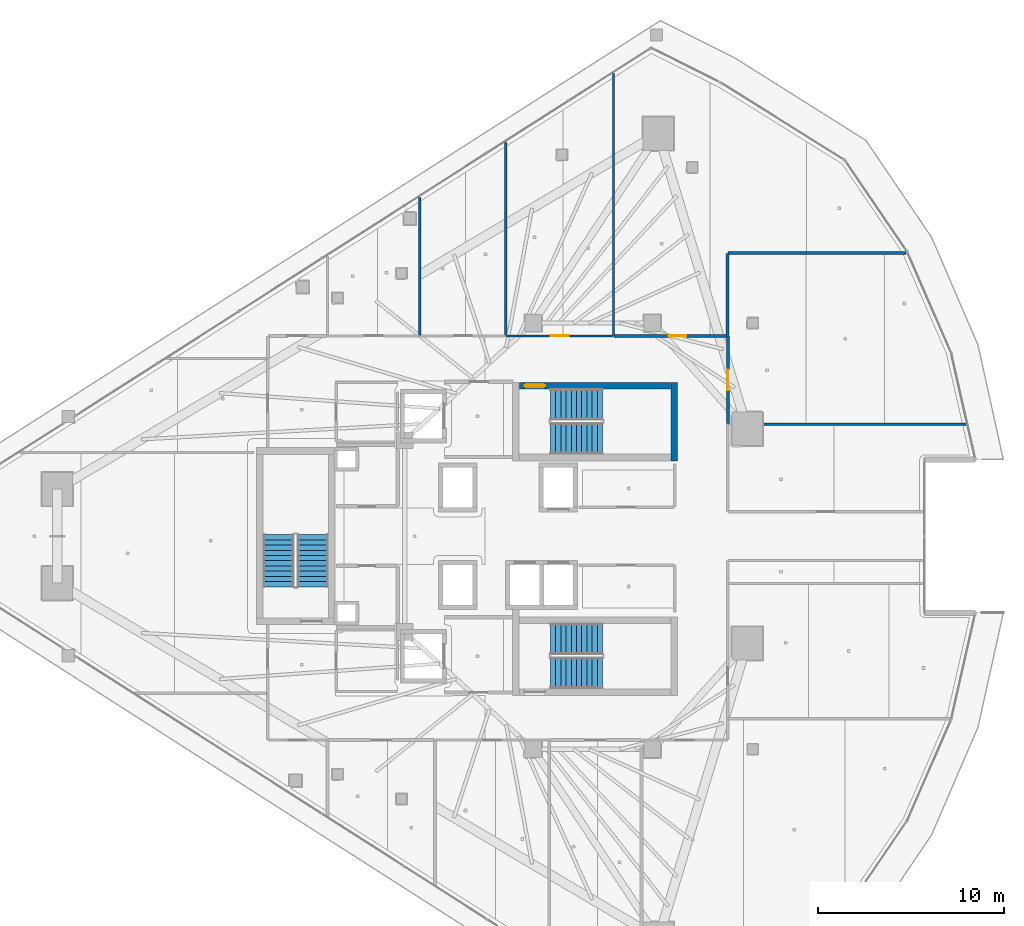
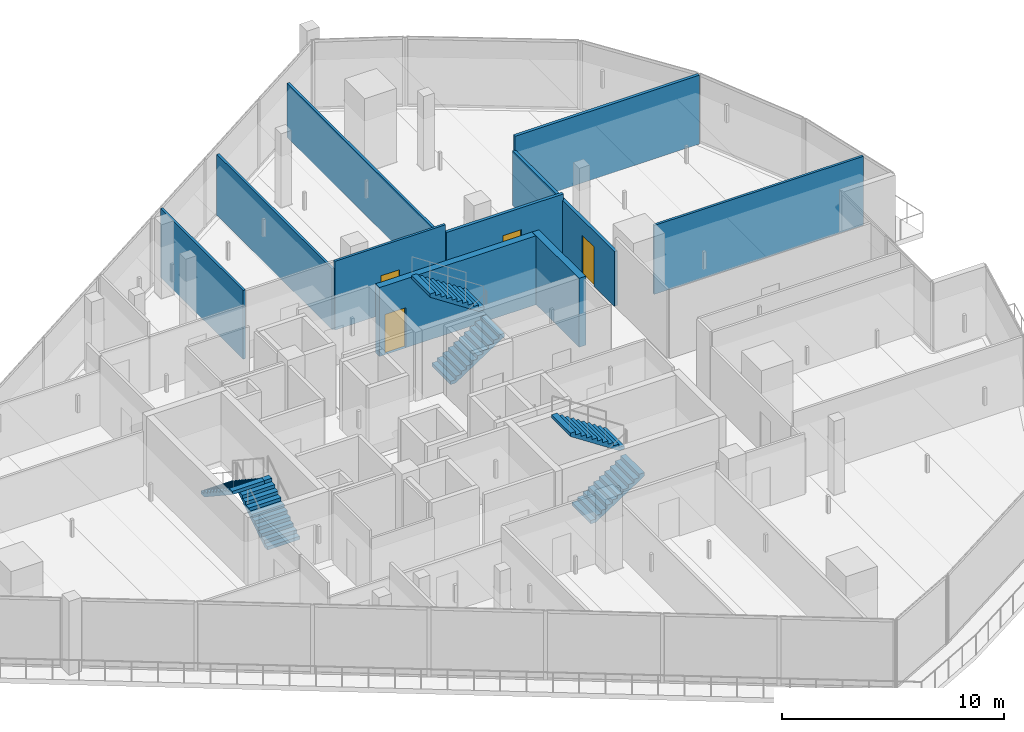
# One storey, part 25 of 33: 11 walls, 6 stair flights, 4 doors, 4 openings, 3 elements without a shape of their own.
"""IFC4 building model written with IfcOpenShell, lengths in metres."""

from ifc_helpers import new_model, si_unit, direction, frame, frame_2d, origin, place, context, subcontext, project, spatial, polyline, rectangle, outline, extrude, material, layer, layer_set, type_object, element, fill, aggregate, save


model = new_model("IFC4")

# Units and contexts
model_context = context("Model", 3, precision=1e-05, world=origin(), true_north=direction((0.0, 1.0)))
body_context = subcontext(model_context, "Body", "Model", "MODEL_VIEW")
ifc_project = project(units=[si_unit("LENGTHUNIT", "METRE"), si_unit("AREAUNIT", "SQUARE_METRE"), si_unit("VOLUMEUNIT", "CUBIC_METRE"), si_unit("PLANEANGLEUNIT", "RADIAN"), si_unit("MASSUNIT", "GRAM", prefix="KILO")], contexts=[model_context])

# Site, building, storey
site_placement = place(None, origin())
site = spatial("IfcSite", under=ifc_project, at=site_placement, CompositionType="ELEMENT")
building_placement = place(site_placement, origin())
building = spatial("IfcBuilding", under=site, at=building_placement, Name="Qorvath Tower", CompositionType="ELEMENT")
storey_placement = place(building_placement, frame((0.0, 0.0, 237.449951171875)))
storey = spatial("IfcBuildingStorey", under=building, at=storey_placement, Name="L55", CompositionType="ELEMENT", Elevation=237.449951171875)

# Wall, opening, door
ifc_material_1 = material(Name="Double acoustic gypsum board on steel studs", Category="steel")
ifc_layer_1 = layer(ifc_material_1, 0.159912109375)
ifc_layer_set_1 = layer_set([ifc_layer_1], Name="IW-ACOUSTIC-160")
wall_type_1 = type_object("IfcWallType", Name="IW-ACOUSTIC-160", PredefinedType="PARTITIONING", material=ifc_layer_set_1)
wall_1_placement = place(storey_placement, frame((-19.24658203125, 10.758056640625, 0.0), z_axis=(0.0, 0.0, 1.0), x_axis=(1.0, 0.0, 0.0)))
wall_1 = element("IfcWall", 1, at=wall_1_placement, inside=storey, type_object=wall_type_1, Name="Interior Partition IW-T1-L55-030", PredefinedType="PARTITIONING", context=body_context, shape_type="SweptSolid", body=[
    extrude(rectangle(XDim=6.07177734375, YDim=0.159912109375, at=frame_2d((3.035888671875, 0.0))), origin(), (0.0, 0.0, 1.0), 3.34423828125),
])
opening_1_placement = place(wall_1_placement, frame((2.9267578125, 0.0, 0.0)))
opening_1 = element("IfcOpeningElement", 2, at=opening_1_placement, cuts=wall_1, Name="Opening D-T1-L55-10", PredefinedType="OPENING", context=body_context, shape_type="SweptSolid", body=[
    extrude(rectangle(XDim=0.949951171875, YDim=2.14990234375, at=frame_2d((0.47509765625, 1.074951171875))), frame((0.0, 0.08984375, 0.0), z_axis=(0.0, -1.0, 0.0), x_axis=(1.0, 0.0, 0.0)), (0.0, 0.0, 1.0), 0.179931640625),
])
ifc_material_2 = material(Name="Solid-core American white oak veneer", Category="wood")
door_type_1 = type_object("IfcDoorType", Name="D-01", OperationType="NOTDEFINED", PredefinedType="DOOR", material=ifc_material_2)
door_1_placement = place(opening_1_placement, origin())
door_1 = element("IfcDoor", 3, at=door_1_placement, inside=storey, type_object=door_type_1, Name="L55-04 Breakout Reading Alcove Door D-T1-L55-10", OperationType="SINGLE_SWING_LEFT", OverallHeight=2.14990234375, OverallWidth=0.949951171875, PredefinedType="DOOR", context=body_context, shape_type="SweptSolid", body=[
    extrude(rectangle(XDim=0.949951171875, YDim=2.14990234375, at=frame_2d((0.47509765625, 1.074951171875))), frame((0.0, 0.02490234375, 0.0), z_axis=(0.0, -1.0, 0.0), x_axis=(1.0, 0.0, 0.0)), (0.0, 0.0, 1.0), 0.050048828125),
])
fill(opening_1, door_1)

# Walls
wall_2_placement = place(storey_placement, frame((-13.14990234375, 10.783203125, 0.0), z_axis=(0.0, 0.0, 1.0), x_axis=(0.0, 1.0, 0.0)))
element("IfcWall", 4, at=wall_2_placement, inside=storey, type_object=wall_type_1, Name="Interior Partition IW-T1-L55-031", PredefinedType="PARTITIONING", context=body_context, shape_type="SweptSolid", body=[
    extrude(rectangle(XDim=4.40087890625, YDim=0.159912109375, at=frame_2d((2.200439453125, 0.0))), origin(), (0.0, 0.0, 1.0), 3.0),
])
wall_3_placement = place(storey_placement, frame((-13.125, 15.208984375, 0.0), z_axis=(0.0, 0.0, 1.0), x_axis=(0.999999120294, 0.001326427933, 0.0)))
element("IfcWall", 5, at=wall_3_placement, inside=storey, type_object=wall_type_1, Name="Interior Partition IW-T1-L55-032", PredefinedType="PARTITIONING", context=body_context, shape_type="SweptSolid", body=[
    extrude(rectangle(XDim=9.571044921875, YDim=0.159912109375, at=frame_2d((4.78564453125, 0.0))), origin(), (0.0, 0.0, 1.0), 3.780029296875),
])

# Wall, opening, door
wall_4_placement = place(storey_placement, frame((-13.14208984375, 10.75830078125, 0.0), z_axis=(0.0, 0.0, 1.0), x_axis=(0.0, -1.0, 0.0)))
wall_4 = element("IfcWall", 6, at=wall_4_placement, inside=storey, type_object=wall_type_1, Name="Interior Partition IW-T1-L55-050", PredefinedType="PARTITIONING", context=body_context, shape_type="SweptSolid", body=[
    extrude(rectangle(XDim=4.71240234375, YDim=0.159912109375, at=frame_2d((2.356201171875, 0.0))), origin(), (0.0, 0.0, 1.0), 3.0),
])
opening_2_placement = place(wall_4_placement, frame((1.80615234375, 0.0, 0.0)))
opening_2 = element("IfcOpeningElement", 7, at=opening_2_placement, cuts=wall_4, Name="Opening D-T1-L55-17", PredefinedType="OPENING", context=body_context, shape_type="SweptSolid", body=[
    extrude(rectangle(XDim=1.10009765625, YDim=2.14990234375, at=frame_2d((0.550048828125, 1.074951171875))), frame((0.0, 0.08984375, 0.0), z_axis=(0.0, -1.0, 0.0), x_axis=(1.0, 0.0, 0.0)), (0.0, 0.0, 1.0), 0.179931640625),
])
ifc_material_3 = material(Name="Anodised aluminium acoustic framed glass", Category="aluminium")
door_type_2 = type_object("IfcDoorType", Name="D-03", OperationType="NOTDEFINED", PredefinedType="DOOR", material=ifc_material_3)
door_2_placement = place(opening_2_placement, origin())
door_2 = element("IfcDoor", 8, at=door_2_placement, inside=storey, type_object=door_type_2, Name="L55-11 Client Services Office Door D-T1-L55-17", OperationType="SINGLE_SWING_RIGHT", OverallHeight=2.14990234375, OverallWidth=1.10009765625, PredefinedType="DOOR", context=body_context, shape_type="SweptSolid", body=[
    extrude(rectangle(XDim=1.10009765625, YDim=2.14990234375, at=frame_2d((0.550048828125, 1.074951171875))), frame((0.0, 0.02490234375, 0.0), z_axis=(0.0, -1.0, 0.0), x_axis=(1.0, 0.0, 0.0)), (0.0, 0.0, 1.0), 0.050048828125),
])
fill(opening_2, door_2)

# Walls
ifc_material_4 = material(Name="Gypsum board on metal studs with mineral wool", Category="gypsum")
ifc_layer_2 = layer(ifc_material_4, 0.125)
ifc_layer_set_2 = layer_set([ifc_layer_2], Name="IW-PART-125")
wall_type_2 = type_object("IfcWallType", Name="IW-PART-125", PredefinedType="PARTITIONING", material=ifc_layer_set_2)
wall_5_placement = place(storey_placement, frame((-29.687255859375, 10.783203125, 0.0), z_axis=(0.0, 0.0, 1.0), x_axis=(0.0, 1.0, 0.0)))
element("IfcWall", 9, at=wall_5_placement, inside=storey, type_object=wall_type_2, Name="Interior Partition IW-T1-L55-024", PredefinedType="PARTITIONING", context=body_context, shape_type="SweptSolid", body=[
    extrude(rectangle(XDim=7.42138671875, YDim=0.125, at=frame_2d((3.710693359375, 0.0))), origin(), (0.0, 0.0, 1.0), 3.780029296875),
])
wall_6_placement = place(storey_placement, frame((-25.067138671875, 10.783203125, 0.0), z_axis=(0.0, 0.0, 1.0), x_axis=(0.0, 1.0, 0.0)))
element("IfcWall", 10, at=wall_6_placement, inside=storey, type_object=wall_type_2, Name="Interior Partition IW-T1-L55-027", PredefinedType="PARTITIONING", context=body_context, shape_type="SweptSolid", body=[
    extrude(rectangle(XDim=10.374267578125, YDim=0.125, at=frame_2d((5.18701171875, 0.0))), origin(), (0.0, 0.0, 1.0), 3.34423828125),
])

# Wall, opening, door
wall_7_placement = place(storey_placement, frame((-25.0341796875, 10.758056640625, 0.0), z_axis=(0.0, 0.0, 1.0), x_axis=(1.0, 0.0, 0.0)))
wall_7 = element("IfcWall", 11, at=wall_7_placement, inside=storey, type_object=wall_type_2, Name="Interior Partition IW-T1-L55-028", PredefinedType="PARTITIONING", context=body_context, shape_type="SweptSolid", body=[
    extrude(rectangle(XDim=5.7294921875, YDim=0.125, at=frame_2d((2.86474609375, 0.0))), origin(), (0.0, 0.0, 1.0), 3.780029296875),
])
opening_3_placement = place(wall_7_placement, frame((2.3896484375, 0.0, 0.0)))
opening_3 = element("IfcOpeningElement", 12, at=opening_3_placement, cuts=wall_7, Name="Opening D-T1-L55-09", PredefinedType="OPENING", context=body_context, shape_type="SweptSolid", body=[
    extrude(rectangle(XDim=0.949951171875, YDim=2.14990234375, at=frame_2d((0.47509765625, 1.074951171875))), frame((0.0, 0.072509765625, 0.0), z_axis=(0.0, -1.0, 0.0), x_axis=(1.0, 0.0, 0.0)), (0.0, 0.0, 1.0), 0.14501953125),
])
door_3_placement = place(opening_3_placement, origin())
door_3 = element("IfcDoor", 13, at=door_3_placement, inside=storey, type_object=door_type_1, Name="L55-03 Executive Partner Office Door D-T1-L55-09", OperationType="SINGLE_SWING_RIGHT", OverallHeight=2.14990234375, OverallWidth=0.949951171875, PredefinedType="DOOR", context=body_context, shape_type="SweptSolid", body=[
    extrude(rectangle(XDim=0.949951171875, YDim=2.14990234375, at=frame_2d((0.47509765625, 1.074951171875))), frame((0.0, 0.02490234375, 0.0), z_axis=(0.0, -1.0, 0.0), x_axis=(1.0, 0.0, 0.0)), (0.0, 0.0, 1.0), 0.050048828125),
])
fill(opening_3, door_3)

# Walls
wall_8_placement = place(storey_placement, frame((-19.27978515625, 10.783203125, 0.0), z_axis=(0.0, 0.0, 1.0), x_axis=(0.0, 1.0, 0.0)))
element("IfcWall", 14, at=wall_8_placement, inside=storey, type_object=wall_type_2, Name="Interior Partition IW-T1-L55-029", PredefinedType="PARTITIONING", context=body_context, shape_type="SweptSolid", body=[
    extrude(rectangle(XDim=14.0732421875, YDim=0.125, at=frame_2d((7.03662109375, 0.0))), origin(), (0.0, 0.0, 1.0), 2.97705078125),
])
wall_9_placement = place(storey_placement, frame((-0.344482421875, 6.012939453125, 0.0), z_axis=(0.0, 0.0, 1.0), x_axis=(-1.0, 0.0, 0.0)))
element("IfcWall", 15, at=wall_9_placement, inside=storey, type_object=wall_type_2, Name="Interior Partition IW-T1-L55-045", PredefinedType="PARTITIONING", context=body_context, shape_type="SweptSolid", body=[
    extrude(rectangle(XDim=10.8623046875, YDim=0.125, at=frame_2d((5.43115234375, 0.0))), origin(), (0.0, 0.0, 1.0), 3.780029296875),
])
ifc_material_5 = material(Name="Concrete C60/75", Category="concrete")
ifc_layer_3 = layer(ifc_material_5, 0.35009765625)
ifc_layer_set_3 = layer_set([ifc_layer_3], Name="SW-STAIR")
wall_type_3 = type_object("IfcWallType", Name="SW-STAIR", PredefinedType="SHEAR", material=ifc_layer_set_3)
wall_10_placement = place(storey_placement, frame((-16.02490234375, 4.050048828125, 0.0), z_axis=(0.0, 0.0, 1.0), x_axis=(0.0, 1.0, 0.0)))
element("IfcWall", 16, at=wall_10_placement, inside=storey, type_object=wall_type_3, Name="Stair TS1 Shear Wall L55 FAR", PredefinedType="SHEAR", context=body_context, shape_type="SweptSolid", body=[
    extrude(rectangle(XDim=4.2099609375, YDim=0.35009765625, at=frame_2d((2.10498046875, 0.0))), origin(), (0.0, 0.0, 1.0), 3.780029296875),
])

# Wall, opening, door
wall_11_placement = place(storey_placement, frame((-16.215087890625, 8.0849609375, 0.0), z_axis=(0.0, 0.0, 1.0), x_axis=(-1.0, 0.0, 0.0)))
wall_11 = element("IfcWall", 17, at=wall_11_placement, inside=storey, type_object=wall_type_3, Name="Stair TS1 Shear Wall L55 RIGHT", PredefinedType="SHEAR", context=body_context, shape_type="SweptSolid", body=[
    extrude(rectangle(XDim=8.119873046875, YDim=0.35009765625, at=frame_2d((4.06005859375, 0.0))), origin(), (0.0, 0.0, 1.0), 3.780029296875),
])
opening_4_placement = place(wall_11_placement, frame((6.739990234375, 0.0, 0.0)))
opening_4 = element("IfcOpeningElement", 18, at=opening_4_placement, cuts=wall_11, Name="Opening D-TS1-L55", PredefinedType="OPENING", context=body_context, shape_type="SweptSolid", body=[
    extrude(rectangle(XDim=1.10009765625, YDim=2.199951171875, at=frame_2d((0.550048828125, 1.10009765625))), frame((0.0, 0.18505859375, 0.0), z_axis=(0.0, -1.0, 0.0), x_axis=(1.0, 0.0, 0.0)), (0.0, 0.0, 1.0), 0.3701171875),
])
ifc_material_6 = material(Name="Painted galvanised hollow metal", Category="steel")
door_type_3 = type_object("IfcDoorType", Name="FD-90", OperationType="NOTDEFINED", PredefinedType="DOOR", material=ifc_material_6)
door_4_placement = place(opening_4_placement, origin())
door_4 = element("IfcDoor", 19, at=door_4_placement, inside=storey, type_object=door_type_3, Name="Stair TS1 Fire Door L55", OperationType="SINGLE_SWING_RIGHT", OverallHeight=2.199951171875, OverallWidth=1.10009765625, PredefinedType="DOOR", context=body_context, shape_type="SweptSolid", body=[
    extrude(rectangle(XDim=1.10009765625, YDim=2.199951171875, at=frame_2d((0.550048828125, 1.10009765625))), frame((0.0, 0.02490234375, 0.0), z_axis=(0.0, -1.0, 0.0), x_axis=(1.0, 0.0, 0.0)), (0.0, 0.0, 1.0), 0.050048828125),
])
fill(opening_4, door_4)

# Stair, stair flights
ifc_material_7 = material(Name="Concrete C50/60", Category="concrete")
stair_type = type_object("IfcStairType", Name="ST-H405", PredefinedType="HALF_TURN_STAIR", material=ifc_material_7)
stair_1_placement = place(storey_placement, origin())
stair_1 = element("IfcStair", 20, at=stair_1_placement, inside=storey, type_object=stair_type, Name="L55 Tower Exit Stair 1", PredefinedType="HALF_TURN_STAIR")
ifc_material_8 = material(Name="Concrete C50/60", Category="concrete")
ifc_layer_4 = layer(ifc_material_8, 0.14990234375)
ifc_layer_set_4 = layer_set([ifc_layer_4], Name="SF-H405")
stair_flight_type = type_object("IfcStairFlightType", Name="SF-H405", PredefinedType="STRAIGHT", material=ifc_layer_set_4)
stair_flight_1_placement = place(storey_placement, frame((-22.669921875, 5.239990234375, 0.0), z_axis=(0.0, 0.0, 1.0), x_axis=(1.0, 0.0, 0.0)))
stair_flight_1 = element("IfcStairFlight", 21, at=stair_flight_1_placement, type_object=stair_flight_type, Name="TS1 flight 1", NumberOfRisers=11, NumberOfTreads=10, PredefinedType="STRAIGHT", RiserHeight=0.184090909, TreadLength=0.28, context=body_context, shape_type="SweptSolid", body=[
    extrude(outline(polyline([(0.0, 0.0), (0.0, 0.18408203125), (0.280029296875, 0.18408203125), (0.280029296875, 0.3681640625), (0.56005859375, 0.3681640625), (0.56005859375, 0.55224609375), (0.840087890625, 0.55224609375), (0.840087890625, 0.736328125), (1.1201171875, 0.736328125), (1.1201171875, 0.92041015625), (1.39990234375, 0.92041015625), (1.39990234375, 1.1044921875), (1.679931640625, 1.1044921875), (1.679931640625, 1.28857421875), (1.9599609375, 1.28857421875), (1.9599609375, 1.47265625), (2.239990234375, 1.47265625), (2.239990234375, 1.65673828125), (2.52001953125, 1.65673828125), (2.52001953125, 1.8408203125), (2.800048828125, 1.8408203125), (2.800048828125, 2.02490234375), (2.800048828125, 1.66162109375), (0.27294921875, 0.0), (0.0, 0.0)])), frame((0.0, 0.83984375, 0.0), z_axis=(0.0, -1.0, 0.0), x_axis=(1.0, 0.0, 0.0)), (0.0, 0.0, 1.0), 1.679931640625),
])
stair_flight_2_placement = place(storey_placement, frame((-19.8701171875, 7.070068359375, 2.025146484375), z_axis=(0.0, 0.0, 1.0), x_axis=(-1.0, 0.0, 0.0)))
stair_flight_2 = element("IfcStairFlight", 22, at=stair_flight_2_placement, type_object=stair_flight_type, Name="TS1 flight 2", NumberOfRisers=11, NumberOfTreads=10, PredefinedType="STRAIGHT", RiserHeight=0.184090909, TreadLength=0.28, context=body_context, shape_type="SweptSolid", body=[
    extrude(outline(polyline([(0.0, 0.0), (0.0, 0.18408203125), (0.280029296875, 0.18408203125), (0.280029296875, 0.3681640625), (0.56005859375, 0.3681640625), (0.56005859375, 0.55224609375), (0.840087890625, 0.55224609375), (0.840087890625, 0.736328125), (1.1201171875, 0.736328125), (1.1201171875, 0.92041015625), (1.39990234375, 0.92041015625), (1.39990234375, 1.1044921875), (1.679931640625, 1.1044921875), (1.679931640625, 1.28857421875), (1.9599609375, 1.28857421875), (1.9599609375, 1.47265625), (2.239990234375, 1.47265625), (2.239990234375, 1.65673828125), (2.52001953125, 1.65673828125), (2.52001953125, 1.8408203125), (2.800048828125, 1.8408203125), (2.800048828125, 2.02490234375), (2.800048828125, 1.66162109375), (0.27294921875, 0.0), (0.0, 0.0)])), frame((0.0, 0.83984375, 0.0), z_axis=(0.0, -1.0, 0.0), x_axis=(1.0, 0.0, 0.0)), (0.0, 0.0, 1.0), 1.679931640625),
])
aggregate(stair_1, [stair_flight_1, stair_flight_2])

stair_2_placement = place(storey_placement, origin())
stair_2 = element("IfcStair", 23, at=stair_2_placement, inside=storey, type_object=stair_type, Name="L55 Tower Exit Stair 2", PredefinedType="HALF_TURN_STAIR")
stair_flight_3_placement = place(storey_placement, frame((-22.669921875, -7.360107421875, 0.0), z_axis=(0.0, 0.0, 1.0), x_axis=(1.0, 0.0, 0.0)))
stair_flight_3 = element("IfcStairFlight", 24, at=stair_flight_3_placement, type_object=stair_flight_type, Name="TS2 flight 1", NumberOfRisers=11, NumberOfTreads=10, PredefinedType="STRAIGHT", RiserHeight=0.184090909, TreadLength=0.28, context=body_context, shape_type="SweptSolid", body=[
    extrude(outline(polyline([(0.0, 0.0), (0.0, 0.18408203125), (0.280029296875, 0.18408203125), (0.280029296875, 0.3681640625), (0.56005859375, 0.3681640625), (0.56005859375, 0.55224609375), (0.840087890625, 0.55224609375), (0.840087890625, 0.736328125), (1.1201171875, 0.736328125), (1.1201171875, 0.92041015625), (1.39990234375, 0.92041015625), (1.39990234375, 1.1044921875), (1.679931640625, 1.1044921875), (1.679931640625, 1.28857421875), (1.9599609375, 1.28857421875), (1.9599609375, 1.47265625), (2.239990234375, 1.47265625), (2.239990234375, 1.65673828125), (2.52001953125, 1.65673828125), (2.52001953125, 1.8408203125), (2.800048828125, 1.8408203125), (2.800048828125, 2.02490234375), (2.800048828125, 1.66162109375), (0.27294921875, 0.0), (0.0, 0.0)])), frame((0.0, 0.83984375, 0.0), z_axis=(0.0, -1.0, 0.0), x_axis=(1.0, 0.0, 0.0)), (0.0, 0.0, 1.0), 1.679931640625),
])
stair_flight_4_placement = place(storey_placement, frame((-19.8701171875, -5.530029296875, 2.025146484375), z_axis=(0.0, 0.0, 1.0), x_axis=(-1.0, 0.0, 0.0)))
stair_flight_4 = element("IfcStairFlight", 25, at=stair_flight_4_placement, type_object=stair_flight_type, Name="TS2 flight 2", NumberOfRisers=11, NumberOfTreads=10, PredefinedType="STRAIGHT", RiserHeight=0.184090909, TreadLength=0.28, context=body_context, shape_type="SweptSolid", body=[
    extrude(outline(polyline([(0.0, 0.0), (0.0, 0.18408203125), (0.280029296875, 0.18408203125), (0.280029296875, 0.3681640625), (0.56005859375, 0.3681640625), (0.56005859375, 0.55224609375), (0.840087890625, 0.55224609375), (0.840087890625, 0.736328125), (1.1201171875, 0.736328125), (1.1201171875, 0.92041015625), (1.39990234375, 0.92041015625), (1.39990234375, 1.1044921875), (1.679931640625, 1.1044921875), (1.679931640625, 1.28857421875), (1.9599609375, 1.28857421875), (1.9599609375, 1.47265625), (2.239990234375, 1.47265625), (2.239990234375, 1.65673828125), (2.52001953125, 1.65673828125), (2.52001953125, 1.8408203125), (2.800048828125, 1.8408203125), (2.800048828125, 2.02490234375), (2.800048828125, 1.66162109375), (0.27294921875, 0.0), (0.0, 0.0)])), frame((0.0, 0.83984375, 0.0), z_axis=(0.0, -1.0, 0.0), x_axis=(1.0, 0.0, 0.0)), (0.0, 0.0, 1.0), 1.679931640625),
])
aggregate(stair_2, [stair_flight_3, stair_flight_4])

stair_3_placement = place(storey_placement, origin())
stair_3 = element("IfcStair", 26, at=stair_3_placement, inside=storey, type_object=stair_type, Name="L55 Tower Exit Stair 3", PredefinedType="HALF_TURN_STAIR")
stair_flight_5_placement = place(storey_placement, frame((-35.43994140625, -2.719970703125, 0.0), z_axis=(0.0, 0.0, 1.0), x_axis=(0.0, 1.0, 0.0)))
stair_flight_5 = element("IfcStairFlight", 27, at=stair_flight_5_placement, type_object=stair_flight_type, Name="TS3 flight 1", NumberOfRisers=11, NumberOfTreads=10, PredefinedType="STRAIGHT", RiserHeight=0.184090909, TreadLength=0.28, context=body_context, shape_type="SweptSolid", body=[
    extrude(outline(polyline([(0.0, 0.0), (0.0, 0.18408203125), (0.280029296875, 0.18408203125), (0.280029296875, 0.3681640625), (0.56005859375, 0.3681640625), (0.56005859375, 0.55224609375), (0.840087890625, 0.55224609375), (0.840087890625, 0.736328125), (1.1201171875, 0.736328125), (1.1201171875, 0.92041015625), (1.39990234375, 0.92041015625), (1.39990234375, 1.1044921875), (1.679931640625, 1.1044921875), (1.679931640625, 1.28857421875), (1.9599609375, 1.28857421875), (1.9599609375, 1.47265625), (2.239990234375, 1.47265625), (2.239990234375, 1.65673828125), (2.52001953125, 1.65673828125), (2.52001953125, 1.8408203125), (2.800048828125, 1.8408203125), (2.800048828125, 2.02490234375), (2.800048828125, 1.66162109375), (0.27294921875, 0.0), (0.0, 0.0)])), frame((0.0, 0.83984375, 0.0), z_axis=(0.0, -1.0, 0.0), x_axis=(1.0, 0.0, 0.0)), (0.0, 0.0, 1.0), 1.679931640625),
])
stair_flight_6_placement = place(storey_placement, frame((-37.27001953125, 0.080078125, 2.025146484375), z_axis=(0.0, 0.0, 1.0), x_axis=(0.0, -1.0, 0.0)))
stair_flight_6 = element("IfcStairFlight", 28, at=stair_flight_6_placement, type_object=stair_flight_type, Name="TS3 flight 2", NumberOfRisers=11, NumberOfTreads=10, PredefinedType="STRAIGHT", RiserHeight=0.184090909, TreadLength=0.28, context=body_context, shape_type="SweptSolid", body=[
    extrude(outline(polyline([(0.0, 0.0), (0.0, 0.18408203125), (0.280029296875, 0.18408203125), (0.280029296875, 0.3681640625), (0.56005859375, 0.3681640625), (0.56005859375, 0.55224609375), (0.840087890625, 0.55224609375), (0.840087890625, 0.736328125), (1.1201171875, 0.736328125), (1.1201171875, 0.92041015625), (1.39990234375, 0.92041015625), (1.39990234375, 1.1044921875), (1.679931640625, 1.1044921875), (1.679931640625, 1.28857421875), (1.9599609375, 1.28857421875), (1.9599609375, 1.47265625), (2.239990234375, 1.47265625), (2.239990234375, 1.65673828125), (2.52001953125, 1.65673828125), (2.52001953125, 1.8408203125), (2.800048828125, 1.8408203125), (2.800048828125, 2.02490234375), (2.800048828125, 1.66162109375), (0.27294921875, 0.0), (0.0, 0.0)])), frame((0.0, 0.83984375, 0.0), z_axis=(0.0, -1.0, 0.0), x_axis=(1.0, 0.0, 0.0)), (0.0, 0.0, 1.0), 1.679931640625),
])
aggregate(stair_3, [stair_flight_5, stair_flight_6])

save(model, "model.ifc")
